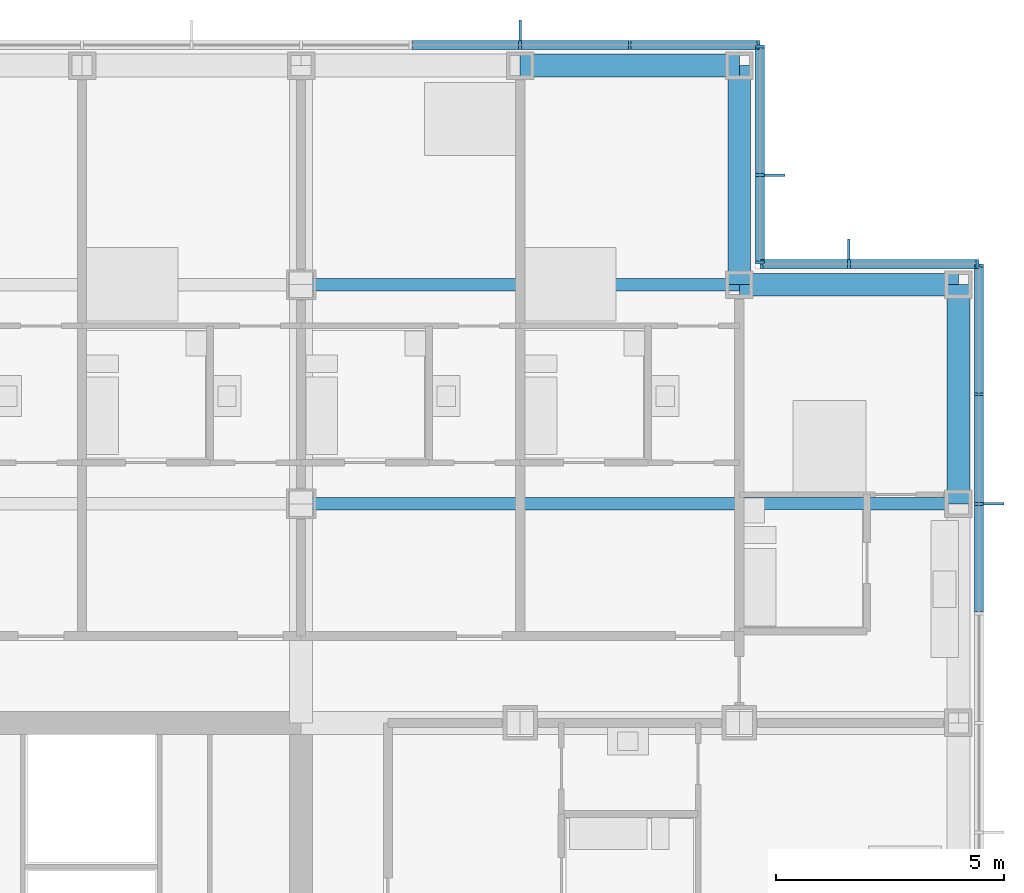
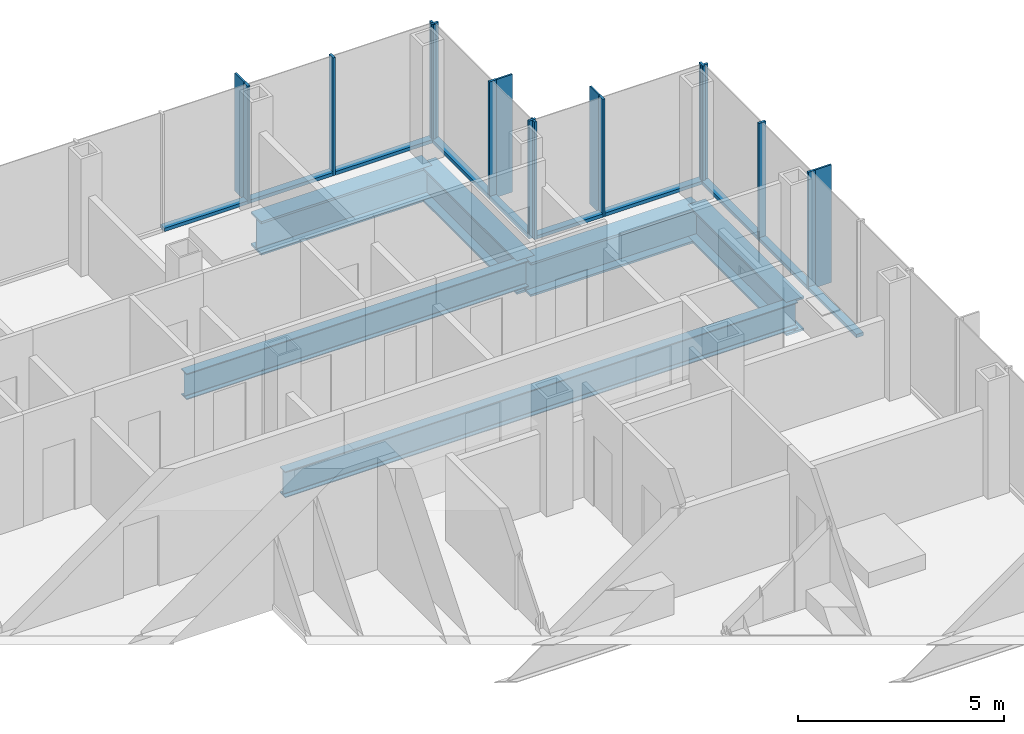
# One storey, part 11 of 22: 26 members, 6 beams, 4 elements without a shape of their own.
"""IFC4 building model written with IfcOpenShell, lengths in metres."""

import ifcopenshell
import ifcopenshell.guid

model = None  # the IFC model being written
_history = None  # IfcOwnerHistory: only IFC2X3 demands one
_inside = {}  # id of a spatial element -> (the spatial element, [elements in it])
_under = {}  # id of a project, library or spatial element -> (it, [spatial elements below it])
_declared = {}  # id of a project -> (the project, [libraries it declares])
_typed = {}  # id of a type object -> (the type object, [elements of that type])
_made_of = {}  # id of a material, layer set ... -> (it, [elements and type objects made of it])


def new_model(schema):
    """Start an empty IFC model of exactly this schema.

    Asked for "IFC4X3", IfcOpenShell would pick the latest addendum, in which some entities
    have other attributes; the version numbers below select the first issue.
    IFC2X3 requires an IfcOwnerHistory on every rooted entity: one is made here for all.
    """
    global model, _history
    if schema == "IFC4X3":
        model = ifcopenshell.file(schema_version=(4, 3, 0, 0))
    else:
        model = ifcopenshell.file(schema=schema)
    _inside.clear()
    _under.clear()
    _declared.clear()
    _typed.clear()
    _made_of.clear()
    _history = None
    if model.schema == "IFC2X3":
        org = make("IfcOrganization", Name="unknown")
        user = make(
            "IfcPersonAndOrganization",
            ThePerson=make("IfcPerson", FamilyName="unknown"),
            TheOrganization=org,
        )
        app = make(
            "IfcApplication",
            ApplicationDeveloper=org,
            Version="unknown",
            ApplicationFullName="unknown",
            ApplicationIdentifier="unknown",
        )
        _history = make(
            "IfcOwnerHistory",
            OwningUser=user,
            OwningApplication=app,
            ChangeAction="ADDED",
            CreationDate=0,
        )
    return model


def make(cls, **values):
    """One entity of the class cls with the attributes given. An attribute that is None is left unset."""
    return model.create_entity(
        cls, **{name: value for name, value in values.items() if value is not None}
    )


def rooted(cls, **values):
    """An entity with a GlobalId (a new one), such as an element, a storey or a relation."""
    return make(cls, GlobalId=ifcopenshell.guid.new(), OwnerHistory=_history, **values)


def si_unit(unit_type, name, prefix=None):
    """IfcSIUnit, for example si_unit("LENGTHUNIT", "METRE", prefix="MILLI")."""
    return make("IfcSIUnit", UnitType=unit_type, Prefix=prefix, Name=name)


def assignment(units):
    """IfcUnitAssignment: the units of a project."""
    return None if units is None else make("IfcUnitAssignment", Units=units)


def point(xyz):
    """IfcCartesianPoint."""
    return None if xyz is None else make("IfcCartesianPoint", Coordinates=xyz)


def direction(xyz):
    """IfcDirection."""
    return None if xyz is None else make("IfcDirection", DirectionRatios=xyz)


def frame(location, z_axis=None, x_axis=None):
    """IfcAxis2Placement3D, a coordinate frame: its origin and axes. An axis left out is left unset."""
    return make(
        "IfcAxis2Placement3D",
        Location=point(location),
        Axis=direction(z_axis),
        RefDirection=direction(x_axis),
    )


def frame_2d(location, x_axis=None):
    """IfcAxis2Placement2D, a coordinate frame in the plane: its origin and x axis."""
    return make(
        "IfcAxis2Placement2D", Location=point(location), RefDirection=direction(x_axis)
    )


def origin():
    """The frame at (0, 0, 0) with its axes left unset."""
    return frame((0.0, 0.0, 0.0))


def origin_2d():
    """The frame at (0, 0) in the plane with its x axis left unset."""
    return frame_2d((0.0, 0.0))


def place(relative_to, where):
    """IfcLocalPlacement: puts the frame where relative to a parent placement (None: the world)."""
    return make(
        "IfcLocalPlacement", PlacementRelTo=relative_to, RelativePlacement=where
    )


def context(
    kind, dimensions, precision=None, world=None, true_north=None, identifier=None
):
    """IfcGeometricRepresentationContext, for example the 3D "Model" context."""
    return make(
        "IfcGeometricRepresentationContext",
        ContextIdentifier=identifier,
        ContextType=kind,
        CoordinateSpaceDimension=dimensions,
        Precision=precision,
        WorldCoordinateSystem=world,
        TrueNorth=true_north,
    )


def subcontext(parent, identifier, kind, view, scale=None):
    """IfcGeometricRepresentationSubContext, for example "Body" below "Model"."""
    return make(
        "IfcGeometricRepresentationSubContext",
        ContextIdentifier=identifier,
        ContextType=kind,
        ParentContext=parent,
        TargetScale=scale,
        TargetView=view,
    )


def project(units=None, contexts=None):
    """IfcProject with its units and contexts."""
    return rooted(
        "IfcProject",
        Name="project",
        RepresentationContexts=contexts,
        UnitsInContext=assignment(units),
    )


def spatial(cls, under=None, at=None, **own):
    """A site, building, storey or space (cls), placed at a placement, below another one or the project."""
    s = rooted(cls, ObjectPlacement=at, **own)
    if under is not None:
        _under.setdefault(under.id(), (under, []))[1].append(s)
    return s


def profile(cls, at=None, kind="AREA", **sizes):
    """A parametric profile (cls). Its sizes go by their IFC names, for example OverallWidth=200.0."""
    return make(cls, ProfileType=kind, Position=at, **sizes)


def rectangle(**sizes):
    """IfcRectangleProfileDef."""
    return profile("IfcRectangleProfileDef", **sizes)


def i_section(**sizes):
    """IfcIShapeProfileDef."""
    return profile("IfcIShapeProfileDef", **sizes)


def extrude(swept, where, along, depth):
    """IfcExtrudedAreaSolid: the profile swept, set in the frame where, extruded along a direction by depth."""
    return make(
        "IfcExtrudedAreaSolid",
        SweptArea=swept,
        Position=where,
        ExtrudedDirection=direction(along),
        Depth=depth,
    )


def shape(context_of_items, identifier, shape_type, items):
    """IfcShapeRepresentation: the items that make up one representation, for example the "Body"."""
    return make(
        "IfcShapeRepresentation",
        ContextOfItems=context_of_items,
        RepresentationIdentifier=identifier,
        RepresentationType=shape_type,
        Items=items,
    )


def material(Name=None, Category=None):
    """IfcMaterial."""
    return make("IfcMaterial", Name=Name, Category=Category)


def material_profile(
    of_material, cross_section, Name=None, Category=None, Priority=None
):
    """IfcMaterialProfile: a cross section and its material."""
    return make(
        "IfcMaterialProfile",
        Name=Name,
        Material=of_material,
        Profile=cross_section,
        Priority=Priority,
        Category=Category,
    )


def profile_set(profiles, Name=None, composite=None):
    """IfcMaterialProfileSet."""
    return make(
        "IfcMaterialProfileSet",
        Name=Name,
        MaterialProfiles=profiles,
        CompositeProfile=composite,
    )


def made_of(thing, what):
    """Note that an element or type object is made of a material, layer set ...; save() writes the relation."""
    if what is not None:
        _made_of.setdefault(what.id(), (what, []))[1].append(thing)
    return thing


def type_object(cls, material=None, **own):
    """A type object (cls), such as IfcWallType, which elements share."""
    return made_of(rooted(cls, **own), material)


def element(
    cls,
    number,
    at=None,
    inside=None,
    cuts=None,
    type_object=None,
    material=None,
    context=None,
    identifier="Body",
    shape_type=None,
    held_by="IfcProductDefinitionShape",
    body=None,
    shapes=None,
    **own,
):
    """One element of the class cls, such as IfcWall. Its Tag is "e" and its number.

    at: its placement. inside: the storey or other place that contains it. cuts: it is an
    opening in that element (IfcRelVoidsElement). A single representation is given by context,
    identifier, shape_type and body (its items); several are given by shapes. held_by: the class
    of the entity that holds the representations. save() writes the other relations.
    """
    e = rooted(cls, Tag="e%d" % number, ObjectPlacement=at, **own)
    if body is not None:
        shapes = [shape(context, identifier, shape_type, body)]
    if shapes is not None:
        e.Representation = make(held_by, Representations=shapes)
    if inside is not None:
        _inside.setdefault(inside.id(), (inside, []))[1].append(e)
    if cuts is not None:
        rooted(
            "IfcRelVoidsElement", RelatingBuildingElement=cuts, RelatedOpeningElement=e
        )
    if type_object is not None:
        _typed.setdefault(type_object.id(), (type_object, []))[1].append(e)
    return made_of(e, material)


def aggregate(whole, parts):
    """IfcRelAggregates: a whole, such as a stair, and the parts it consists of."""
    return rooted("IfcRelAggregates", RelatingObject=whole, RelatedObjects=parts)


def save(model, path):
    """Write the relations noted so far, then the file.

    IfcRelAggregates (storeys below a building ...), IfcRelContainedInSpatialStructure (elements
    in a storey), IfcRelDefinesByType, IfcRelAssociatesMaterial and IfcRelDeclares: one each for
    every whole, place, type object, material and project.
    """
    for whole, parts in _under.values():
        aggregate(whole, parts)
    for where, things in _inside.values():
        rooted(
            "IfcRelContainedInSpatialStructure",
            RelatedElements=things,
            RelatingStructure=where,
        )
    for kind, things in _typed.values():
        rooted("IfcRelDefinesByType", RelatedObjects=things, RelatingType=kind)
    for what, things in _made_of.values():
        rooted("IfcRelAssociatesMaterial", RelatedObjects=things, RelatingMaterial=what)
    for by, libraries in _declared.values():
        rooted("IfcRelDeclares", RelatingContext=by, RelatedDefinitions=libraries)
    model.write(path)


model = new_model("IFC4")

# Units and contexts
model_context = context("Model", 3, precision=1e-05, world=origin(), true_north=direction((0.0, 1.0)))
body_context = subcontext(model_context, "Body", "Model", "MODEL_VIEW")
ifc_project = project(units=[si_unit("LENGTHUNIT", "METRE"), si_unit("AREAUNIT", "SQUARE_METRE"), si_unit("VOLUMEUNIT", "CUBIC_METRE"), si_unit("PLANEANGLEUNIT", "RADIAN"), si_unit("MASSUNIT", "GRAM", prefix="KILO")], contexts=[model_context])

# Site, building, storey
site_placement = place(None, origin())
site = spatial("IfcSite", under=ifc_project, at=site_placement, CompositionType="ELEMENT")
building_placement = place(site_placement, origin())
building = spatial("IfcBuilding", under=site, at=building_placement, Name="Kvirike Care Tower", CompositionType="ELEMENT")
storey_placement = place(building_placement, frame((0.0, 0.0, 72.5)))
storey = spatial("IfcBuildingStorey", under=building, at=storey_placement, Name="L19", CompositionType="ELEMENT", Elevation=72.5)

# Curtain wall, member
ifc_material_1 = material(Name="Anodised aluminium stick system", Category="aluminium")
curtain_wall_type = type_object("IfcCurtainWallType", Name="CW-A STICK CURTAIN WALL", PredefinedType="NOTDEFINED", material=ifc_material_1)
curtain_wall_1_placement = place(storey_placement, origin())
curtain_wall_1 = element("IfcCurtainWall", 1, at=curtain_wall_1_placement, inside=storey, type_object=curtain_wall_type, Name="Curtain wall L19 face 7", PredefinedType="NOTDEFINED")
ifc_material_2 = material(Name="Bronze anodised aluminium fin", Category="aluminium")
ifc_material_profile_1 = material_profile(ifc_material_2, rectangle(XDim=0.050048828125, YDim=0.449951171875, at=origin_2d()), Name="BRONZE FIN 450")
ifc_profile_set_1 = profile_set([ifc_material_profile_1], Name="Bronze anodised aluminium fin")
member_type_1 = type_object("IfcMemberType", Name="BRONZE FIN 450", PredefinedType="USERDEFINED", material=ifc_profile_set_1)
member_1_placement = place(storey_placement, frame((43.97509765625, 48.0, 0.0), z_axis=(0.0, 0.0, 1.0), x_axis=(0.0, 1.0, 0.0)))
member_1 = element("IfcMember", 2, at=member_1_placement, type_object=member_type_1, Name="Bronze fin L19 face 7.13", ObjectType="FIN", PredefinedType="USERDEFINED", context=body_context, shape_type="SweptSolid", body=[
    extrude(rectangle(XDim=0.050048828125, YDim=0.449951171875, at=origin_2d()), origin(), (0.0, 0.0, 1.0), 3.5),
])

curtain_wall_2_placement = place(storey_placement, origin())
curtain_wall_2 = element("IfcCurtainWall", 3, at=curtain_wall_2_placement, inside=storey, type_object=curtain_wall_type, Name="Curtain wall L19 face 8", PredefinedType="NOTDEFINED")
member_2_placement = place(storey_placement, frame((40.800048828125, 53.574951171875, 0.0), z_axis=(0.0, 0.0, 1.0), x_axis=(-1.0, 0.0, 0.0)))
member_2 = element("IfcMember", 4, at=member_2_placement, type_object=member_type_1, Name="Bronze fin L19 face 8.2", ObjectType="FIN", PredefinedType="USERDEFINED", context=body_context, shape_type="SweptSolid", body=[
    extrude(rectangle(XDim=0.050048828125, YDim=0.449951171875, at=origin_2d()), origin(), (0.0, 0.0, 1.0), 3.5),
])

curtain_wall_3_placement = place(storey_placement, origin())
curtain_wall_3 = element("IfcCurtainWall", 5, at=curtain_wall_3_placement, inside=storey, type_object=curtain_wall_type, Name="Curtain wall L19 face 9", PredefinedType="NOTDEFINED")
member_3_placement = place(storey_placement, frame((39.175048828125, 55.199951171875, 0.0), z_axis=(0.0, 0.0, 1.0), x_axis=(0.0, 1.0, 0.0)))
member_3 = element("IfcMember", 6, at=member_3_placement, type_object=member_type_1, Name="Bronze fin L19 face 9.2", ObjectType="FIN", PredefinedType="USERDEFINED", context=body_context, shape_type="SweptSolid", body=[
    extrude(rectangle(XDim=0.050048828125, YDim=0.449951171875, at=origin_2d()), origin(), (0.0, 0.0, 1.0), 3.5),
])

curtain_wall_4_placement = place(storey_placement, origin())
curtain_wall_4 = element("IfcCurtainWall", 7, at=curtain_wall_4_placement, inside=storey, type_object=curtain_wall_type, Name="Curtain wall L19 face 10", PredefinedType="NOTDEFINED")
member_4_placement = place(storey_placement, frame((33.60009765625, 58.375, 0.0), z_axis=(0.0, 0.0, 1.0), x_axis=(-1.0, 0.0, 0.0)))
member_4 = element("IfcMember", 8, at=member_4_placement, type_object=member_type_1, Name="Bronze fin L19 face 10.3", ObjectType="FIN", PredefinedType="USERDEFINED", context=body_context, shape_type="SweptSolid", body=[
    extrude(rectangle(XDim=0.050048828125, YDim=0.449951171875, at=origin_2d()), origin(), (0.0, 0.0, 1.0), 3.5),
])

# Member
ifc_material_3 = material(Name="Bronze anodised aluminium mullion", Category="aluminium")
ifc_material_profile_2 = material_profile(ifc_material_3, rectangle(XDim=0.06494140625, YDim=0.199951171875, at=origin_2d()), Name="CW-A MULLION 65x200")
ifc_profile_set_2 = profile_set([ifc_material_profile_2], Name="Bronze anodised aluminium mullion")
member_type_2 = type_object("IfcMemberType", Name="CW-A MULLION 65x200", PredefinedType="MULLION", material=ifc_profile_set_2)
member_5_placement = place(storey_placement, frame((43.64990234375, 48.0, 0.0), z_axis=(0.0, 0.0, 1.0), x_axis=(0.0, 1.0, 0.0)))
member_5 = element("IfcMember", 9, at=member_5_placement, type_object=member_type_2, Name="CW-A mullion L19 face 7.13", PredefinedType="MULLION", context=body_context, shape_type="SweptSolid", body=[
    extrude(rectangle(XDim=0.06494140625, YDim=0.199951171875, at=origin_2d()), origin(), (0.0, 0.0, 1.0), 3.5),
])

member_6_placement = place(storey_placement, frame((43.64990234375, 50.39990234375, 0.0), z_axis=(0.0, 0.0, 1.0), x_axis=(0.0, 1.0, 0.0)))
member_6 = element("IfcMember", 10, at=member_6_placement, type_object=member_type_2, Name="CW-A mullion L19 face 7.14", PredefinedType="MULLION", context=body_context, shape_type="SweptSolid", body=[
    extrude(rectangle(XDim=0.06494140625, YDim=0.199951171875, at=origin_2d()), origin(), (0.0, 0.0, 1.0), 3.5),
])

member_7_placement = place(storey_placement, frame((43.64990234375, 53.217529296875, 0.0), z_axis=(0.0, 0.0, 1.0), x_axis=(0.0, 1.0, 0.0)))
member_7 = element("IfcMember", 11, at=member_7_placement, type_object=member_type_2, Name="CW-A mullion L19 face 7.15", PredefinedType="MULLION", context=body_context, shape_type="SweptSolid", body=[
    extrude(rectangle(XDim=0.06494140625, YDim=0.199951171875, at=origin_2d()), origin(), (0.0, 0.0, 1.0), 3.5),
])

member_8_placement = place(storey_placement, frame((43.617431640625, 53.25, 0.0), z_axis=(0.0, 0.0, 1.0), x_axis=(-1.0, 0.0, 0.0)))
member_8 = element("IfcMember", 12, at=member_8_placement, type_object=member_type_2, Name="CW-A mullion L19 face 8.1", PredefinedType="MULLION", context=body_context, shape_type="SweptSolid", body=[
    extrude(rectangle(XDim=0.06494140625, YDim=0.199951171875, at=origin_2d()), origin(), (0.0, 0.0, 1.0), 3.5),
])

member_9_placement = place(storey_placement, frame((40.800048828125, 53.25, 0.0), z_axis=(0.0, 0.0, 1.0), x_axis=(-1.0, 0.0, 0.0)))
member_9 = element("IfcMember", 13, at=member_9_placement, type_object=member_type_2, Name="CW-A mullion L19 face 8.2", PredefinedType="MULLION", context=body_context, shape_type="SweptSolid", body=[
    extrude(rectangle(XDim=0.06494140625, YDim=0.199951171875, at=origin_2d()), origin(), (0.0, 0.0, 1.0), 3.5),
])

member_10_placement = place(storey_placement, frame((38.882568359375, 53.25, 0.0), z_axis=(0.0, 0.0, 1.0), x_axis=(-1.0, 0.0, 0.0)))
member_10 = element("IfcMember", 14, at=member_10_placement, type_object=member_type_2, Name="CW-A mullion L19 face 8.3", PredefinedType="MULLION", context=body_context, shape_type="SweptSolid", body=[
    extrude(rectangle(XDim=0.06494140625, YDim=0.199951171875, at=origin_2d()), origin(), (0.0, 0.0, 1.0), 3.5),
])

member_11_placement = place(storey_placement, frame((38.85009765625, 53.282470703125, 0.0), z_axis=(0.0, 0.0, 1.0), x_axis=(0.0, 1.0, 0.0)))
member_11 = element("IfcMember", 15, at=member_11_placement, type_object=member_type_2, Name="CW-A mullion L19 face 9.1", PredefinedType="MULLION", context=body_context, shape_type="SweptSolid", body=[
    extrude(rectangle(XDim=0.06494140625, YDim=0.199951171875, at=origin_2d()), origin(), (0.0, 0.0, 1.0), 3.5),
])

member_12_placement = place(storey_placement, frame((38.85009765625, 55.199951171875, 0.0), z_axis=(0.0, 0.0, 1.0), x_axis=(0.0, 1.0, 0.0)))
member_12 = element("IfcMember", 16, at=member_12_placement, type_object=member_type_2, Name="CW-A mullion L19 face 9.2", PredefinedType="MULLION", context=body_context, shape_type="SweptSolid", body=[
    extrude(rectangle(XDim=0.06494140625, YDim=0.199951171875, at=origin_2d()), origin(), (0.0, 0.0, 1.0), 3.5),
])

member_13_placement = place(storey_placement, frame((38.85009765625, 58.017578125, 0.0), z_axis=(0.0, 0.0, 1.0), x_axis=(0.0, 1.0, 0.0)))
member_13 = element("IfcMember", 17, at=member_13_placement, type_object=member_type_2, Name="CW-A mullion L19 face 9.3", PredefinedType="MULLION", context=body_context, shape_type="SweptSolid", body=[
    extrude(rectangle(XDim=0.06494140625, YDim=0.199951171875, at=origin_2d()), origin(), (0.0, 0.0, 1.0), 3.5),
])

member_14_placement = place(storey_placement, frame((38.8173828125, 58.050048828125, 0.0), z_axis=(0.0, 0.0, 1.0), x_axis=(-1.0, 0.0, 0.0)))
member_14 = element("IfcMember", 18, at=member_14_placement, type_object=member_type_2, Name="CW-A mullion L19 face 10.1", PredefinedType="MULLION", context=body_context, shape_type="SweptSolid", body=[
    extrude(rectangle(XDim=0.06494140625, YDim=0.199951171875, at=origin_2d()), origin(), (0.0, 0.0, 1.0), 3.5),
])

member_15_placement = place(storey_placement, frame((36.0, 58.050048828125, 0.0), z_axis=(0.0, 0.0, 1.0), x_axis=(-1.0, 0.0, 0.0)))
member_15 = element("IfcMember", 19, at=member_15_placement, type_object=member_type_2, Name="CW-A mullion L19 face 10.2", PredefinedType="MULLION", context=body_context, shape_type="SweptSolid", body=[
    extrude(rectangle(XDim=0.06494140625, YDim=0.199951171875, at=origin_2d()), origin(), (0.0, 0.0, 1.0), 3.5),
])

member_16_placement = place(storey_placement, frame((33.60009765625, 58.050048828125, 0.0), z_axis=(0.0, 0.0, 1.0), x_axis=(-1.0, 0.0, 0.0)))
member_16 = element("IfcMember", 20, at=member_16_placement, type_object=member_type_2, Name="CW-A mullion L19 face 10.3", PredefinedType="MULLION", context=body_context, shape_type="SweptSolid", body=[
    extrude(rectangle(XDim=0.06494140625, YDim=0.199951171875, at=origin_2d()), origin(), (0.0, 0.0, 1.0), 3.5),
])

ifc_material_4 = material(Name="Bronze anodised aluminium transom", Category="aluminium")
ifc_material_profile_3 = material_profile(ifc_material_4, rectangle(XDim=0.199951171875, YDim=0.10009765625, at=origin_2d()), Name="CW-A TRANSOM 200x100")
ifc_profile_set_3 = profile_set([ifc_material_profile_3], Name="Bronze anodised aluminium transom")
member_type_3 = type_object("IfcMemberType", Name="CW-A TRANSOM 200x100", PredefinedType="USERDEFINED", material=ifc_profile_set_3)
member_17_placement = place(storey_placement, frame((43.64990234375, 45.632568359375, 0.050048828125), z_axis=(0.0, 1.0, 0.0), x_axis=(-1.0, 0.0, 0.0)))
member_17 = element("IfcMember", 21, at=member_17_placement, type_object=member_type_3, Name="CW-A sill transom L19 face 7.12", ObjectType="TRANSOM", PredefinedType="USERDEFINED", context=body_context, shape_type="SweptSolid", body=[
    extrude(rectangle(XDim=0.199951171875, YDim=0.10009765625, at=origin_2d()), origin(), (0.0, 0.0, 1.0), 2.3349609375),
])

member_18_placement = place(storey_placement, frame((43.64990234375, 48.032470703125, 0.050048828125), z_axis=(0.0, 1.0, 0.0), x_axis=(-1.0, 0.0, 0.0)))
member_18 = element("IfcMember", 22, at=member_18_placement, type_object=member_type_3, Name="CW-A sill transom L19 face 7.13", ObjectType="TRANSOM", PredefinedType="USERDEFINED", context=body_context, shape_type="SweptSolid", body=[
    extrude(rectangle(XDim=0.199951171875, YDim=0.10009765625, at=origin_2d()), origin(), (0.0, 0.0, 1.0), 2.3349609375),
])

member_19_placement = place(storey_placement, frame((43.64990234375, 50.4326171875, 0.050048828125), z_axis=(0.0, 1.0, 0.0), x_axis=(-1.0, 0.0, 0.0)))
member_19 = element("IfcMember", 23, at=member_19_placement, type_object=member_type_3, Name="CW-A sill transom L19 face 7.14", ObjectType="TRANSOM", PredefinedType="USERDEFINED", context=body_context, shape_type="SweptSolid", body=[
    extrude(rectangle(XDim=0.199951171875, YDim=0.10009765625, at=origin_2d()), origin(), (0.0, 0.0, 1.0), 2.75244140625),
])

aggregate(curtain_wall_1, [member_5, member_1, member_6, member_7, member_17, member_18, member_19])

member_20_placement = place(storey_placement, frame((43.5849609375, 53.25, 0.050048828125), z_axis=(-1.0, 0.0, 0.0), x_axis=(0.0, -1.0, 0.0)))
member_20 = element("IfcMember", 24, at=member_20_placement, type_object=member_type_3, Name="CW-A sill transom L19 face 8.1", ObjectType="TRANSOM", PredefinedType="USERDEFINED", context=body_context, shape_type="SweptSolid", body=[
    extrude(rectangle(XDim=0.199951171875, YDim=0.10009765625, at=origin_2d()), origin(), (0.0, 0.0, 1.0), 2.75244140625),
])

member_21_placement = place(storey_placement, frame((40.767578125, 53.25, 0.050048828125), z_axis=(-1.0, 0.0, 0.0), x_axis=(0.0, -1.0, 0.0)))
member_21 = element("IfcMember", 25, at=member_21_placement, type_object=member_type_3, Name="CW-A sill transom L19 face 8.2", ObjectType="TRANSOM", PredefinedType="USERDEFINED", context=body_context, shape_type="SweptSolid", body=[
    extrude(rectangle(XDim=0.199951171875, YDim=0.10009765625, at=origin_2d()), origin(), (0.0, 0.0, 1.0), 1.8525390625),
])

aggregate(curtain_wall_2, [member_8, member_9, member_2, member_10, member_20, member_21])

member_22_placement = place(storey_placement, frame((38.85009765625, 53.31494140625, 0.050048828125), z_axis=(0.0, 1.0, 0.0), x_axis=(-1.0, 0.0, 0.0)))
member_22 = element("IfcMember", 26, at=member_22_placement, type_object=member_type_3, Name="CW-A sill transom L19 face 9.1", ObjectType="TRANSOM", PredefinedType="USERDEFINED", context=body_context, shape_type="SweptSolid", body=[
    extrude(rectangle(XDim=0.199951171875, YDim=0.10009765625, at=origin_2d()), origin(), (0.0, 0.0, 1.0), 1.8525390625),
])

member_23_placement = place(storey_placement, frame((38.85009765625, 55.232421875, 0.050048828125), z_axis=(0.0, 1.0, 0.0), x_axis=(-1.0, 0.0, 0.0)))
member_23 = element("IfcMember", 27, at=member_23_placement, type_object=member_type_3, Name="CW-A sill transom L19 face 9.2", ObjectType="TRANSOM", PredefinedType="USERDEFINED", context=body_context, shape_type="SweptSolid", body=[
    extrude(rectangle(XDim=0.199951171875, YDim=0.10009765625, at=origin_2d()), origin(), (0.0, 0.0, 1.0), 2.752685546875),
])

aggregate(curtain_wall_3, [member_11, member_12, member_3, member_13, member_22, member_23])

member_24_placement = place(storey_placement, frame((38.784912109375, 58.050048828125, 0.050048828125), z_axis=(-1.0, 0.0, 0.0), x_axis=(0.0, -1.0, 0.0)))
member_24 = element("IfcMember", 28, at=member_24_placement, type_object=member_type_3, Name="CW-A sill transom L19 face 10.1", ObjectType="TRANSOM", PredefinedType="USERDEFINED", context=body_context, shape_type="SweptSolid", body=[
    extrude(rectangle(XDim=0.199951171875, YDim=0.10009765625, at=origin_2d()), origin(), (0.0, 0.0, 1.0), 2.75244140625),
])

member_25_placement = place(storey_placement, frame((35.967529296875, 58.050048828125, 0.050048828125), z_axis=(-1.0, 0.0, 0.0), x_axis=(0.0, -1.0, 0.0)))
member_25 = element("IfcMember", 29, at=member_25_placement, type_object=member_type_3, Name="CW-A sill transom L19 face 10.2", ObjectType="TRANSOM", PredefinedType="USERDEFINED", context=body_context, shape_type="SweptSolid", body=[
    extrude(rectangle(XDim=0.199951171875, YDim=0.10009765625, at=origin_2d()), origin(), (0.0, 0.0, 1.0), 2.3349609375),
])

member_26_placement = place(storey_placement, frame((33.5673828125, 58.050048828125, 0.050048828125), z_axis=(-1.0, 0.0, 0.0), x_axis=(0.0, -1.0, 0.0)))
member_26 = element("IfcMember", 30, at=member_26_placement, type_object=member_type_3, Name="CW-A sill transom L19 face 10.3", ObjectType="TRANSOM", PredefinedType="USERDEFINED", context=body_context, shape_type="SweptSolid", body=[
    extrude(rectangle(XDim=0.199951171875, YDim=0.10009765625, at=origin_2d()), origin(), (0.0, 0.0, 1.0), 2.3349609375),
])

aggregate(curtain_wall_4, [member_14, member_15, member_16, member_4, member_24, member_25, member_26])

# Beams
ifc_material_5 = material(Name="Steel S355", Category="steel")
ifc_material_profile_4 = material_profile(ifc_material_5, i_section(OverallWidth=0.26806640625, OverallDepth=0.77001953125, WebThickness=0.015625, FlangeThickness=0.025390625, FilletRadius=0.01708984375, at=origin_2d()), Name="IPE 750x196")
ifc_profile_set_4 = profile_set([ifc_material_profile_4], Name="Steel S355")
beam_type_1 = type_object("IfcBeamType", Name="FLOOR BEAM IPE 750x196", PredefinedType="BEAM", material=ifc_profile_set_4)
beam_1_placement = place(storey_placement, frame((28.800048828125, 48.0, -0.554931640625), z_axis=(1.0, 0.0, 0.0), x_axis=(0.0, 1.0, 0.0)))
element("IfcBeam", 31, at=beam_1_placement, inside=storey, type_object=beam_type_1, Name="Floor Beam L9-L12 L19", PredefinedType="BEAM", context=body_context, shape_type="SweptSolid", body=[
    extrude(i_section(OverallWidth=0.26806640625, OverallDepth=0.77001953125, WebThickness=0.015625, FlangeThickness=0.025390625, FilletRadius=0.01708984375, at=origin_2d()), origin(), (0.0, 0.0, 1.0), 14.39990234375),
])
beam_2_placement = place(storey_placement, frame((28.800048828125, 52.800048828125, -0.554931640625), z_axis=(1.0, 0.0, 0.0), x_axis=(0.0, 1.0, 0.0)))
element("IfcBeam", 32, at=beam_2_placement, inside=storey, type_object=beam_type_1, Name="Floor Beam M9-M11 L19", PredefinedType="BEAM", context=body_context, shape_type="SweptSolid", body=[
    extrude(i_section(OverallWidth=0.26806640625, OverallDepth=0.77001953125, WebThickness=0.015625, FlangeThickness=0.025390625, FilletRadius=0.01708984375, at=origin_2d()), origin(), (0.0, 0.0, 1.0), 9.599853515625),
])
ifc_material_6 = material(Name="Steel S355", Category="steel")
ifc_material_profile_5 = material_profile(ifc_material_6, i_section(OverallWidth=0.5, OverallDepth=1.0, WebThickness=0.030029296875, FlangeThickness=0.06005859375, at=origin_2d()), Name="PG 1000x500x30x60")
ifc_profile_set_5 = profile_set([ifc_material_profile_5], Name="Steel S355")
beam_type_2 = type_object("IfcBeamType", Name="SPANDREL PG 1000x500x30x60", PredefinedType="SPANDREL", material=ifc_profile_set_5)
beam_3_placement = place(storey_placement, frame((38.39990234375, 52.800048828125, -0.669921875), z_axis=(1.0, 0.0, 0.0), x_axis=(0.0, 1.0, 0.0)))
element("IfcBeam", 33, at=beam_3_placement, inside=storey, type_object=beam_type_2, Name="Spandrel M11-M12 L19", PredefinedType="SPANDREL", context=body_context, shape_type="SweptSolid", body=[
    extrude(i_section(OverallWidth=0.5, OverallDepth=1.0, WebThickness=0.030029296875, FlangeThickness=0.06005859375, at=origin_2d()), origin(), (0.0, 0.0, 1.0), 4.800048828125),
])
beam_4_placement = place(storey_placement, frame((33.60009765625, 57.60009765625, -0.669921875), z_axis=(1.0, 0.0, 0.0), x_axis=(0.0, 1.0, 0.0)))
element("IfcBeam", 34, at=beam_4_placement, inside=storey, type_object=beam_type_2, Name="Spandrel N10-N11 L19", PredefinedType="SPANDREL", context=body_context, shape_type="SweptSolid", body=[
    extrude(i_section(OverallWidth=0.5, OverallDepth=1.0, WebThickness=0.030029296875, FlangeThickness=0.06005859375, at=origin_2d()), origin(), (0.0, 0.0, 1.0), 4.7998046875),
])
for number, where, z_axis, x_axis, name in (
    (35, (38.39990234375, 52.800048828125, -0.669921875), (0.0, 1.0, 0.0), (-1.0, 0.0, 0.0), "Spandrel M11-N11 L19"),
    (36, (43.199951171875, 48.0, -0.669921875), (0.0, 1.0, 0.0), (-1.0, 0.0, 0.0), "Spandrel L12-M12 L19"),
):
    element("IfcBeam", number, at=place(storey_placement, frame(where, z_axis=z_axis, x_axis=x_axis)), inside=storey, type_object=beam_type_2, Name=name, PredefinedType="SPANDREL", context=body_context, shape_type="SweptSolid", body=[
        extrude(i_section(OverallWidth=0.5, OverallDepth=1.0, WebThickness=0.030029296875, FlangeThickness=0.06005859375, at=origin_2d()), origin(), (0.0, 0.0, 1.0), 4.800048828125),
    ])

save(model, "model.ifc")
